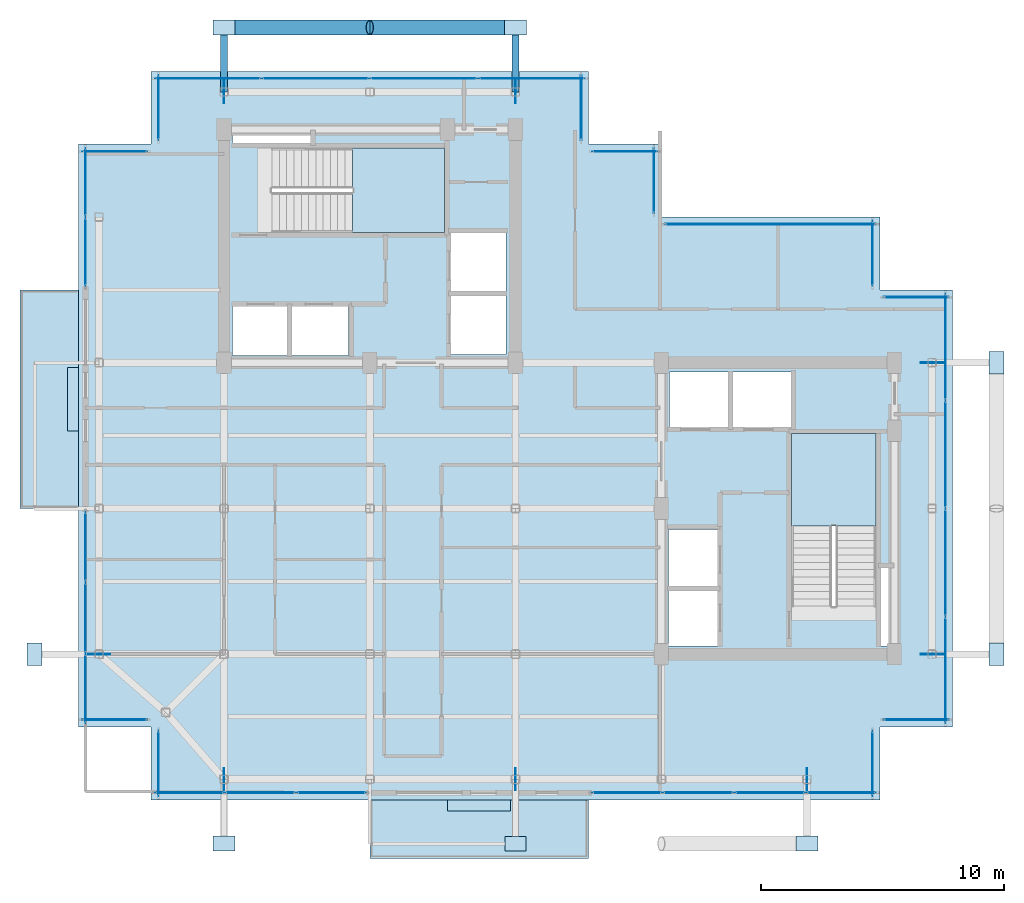
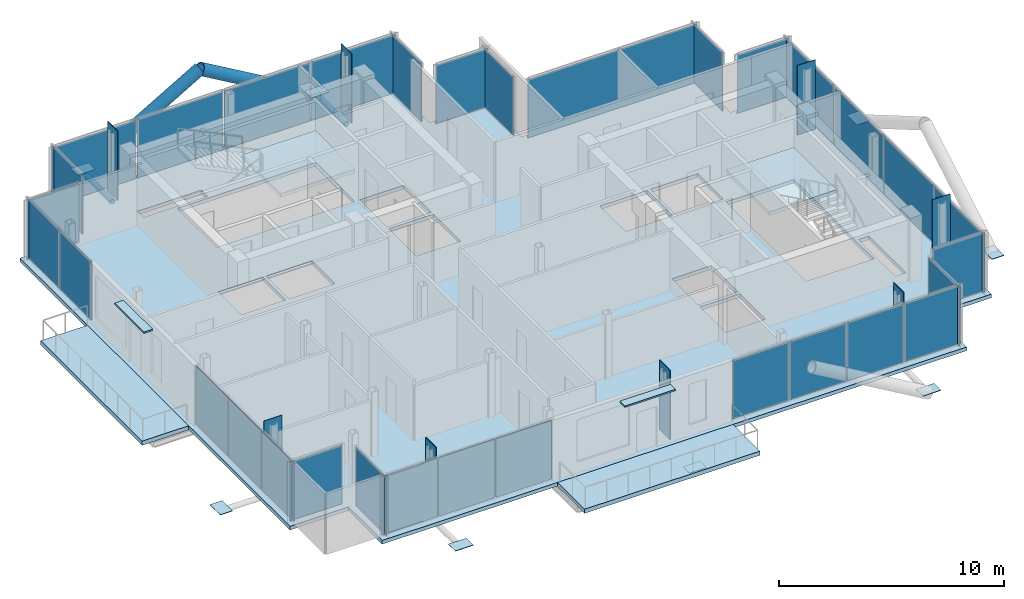
# One storey, part 13 of 18: 50 plates, 5 slabs, 4 members, 20 elements without a shape of their own.
"""IFC4 building model written with IfcOpenShell, lengths in metres."""

import ifcopenshell
import ifcopenshell.guid

model = None  # the IFC model being written
_history = None  # IfcOwnerHistory: only IFC2X3 demands one
_inside = {}  # id of a spatial element -> (the spatial element, [elements in it])
_under = {}  # id of a project, library or spatial element -> (it, [spatial elements below it])
_declared = {}  # id of a project -> (the project, [libraries it declares])
_typed = {}  # id of a type object -> (the type object, [elements of that type])
_made_of = {}  # id of a material, layer set ... -> (it, [elements and type objects made of it])


def new_model(schema):
    """Start an empty IFC model of exactly this schema.

    Asked for "IFC4X3", IfcOpenShell would pick the latest addendum, in which some entities
    have other attributes; the version numbers below select the first issue.
    IFC2X3 requires an IfcOwnerHistory on every rooted entity: one is made here for all.
    """
    global model, _history
    if schema == "IFC4X3":
        model = ifcopenshell.file(schema_version=(4, 3, 0, 0))
    else:
        model = ifcopenshell.file(schema=schema)
    _inside.clear()
    _under.clear()
    _declared.clear()
    _typed.clear()
    _made_of.clear()
    _history = None
    if model.schema == "IFC2X3":
        org = make("IfcOrganization", Name="unknown")
        user = make(
            "IfcPersonAndOrganization",
            ThePerson=make("IfcPerson", FamilyName="unknown"),
            TheOrganization=org,
        )
        app = make(
            "IfcApplication",
            ApplicationDeveloper=org,
            Version="unknown",
            ApplicationFullName="unknown",
            ApplicationIdentifier="unknown",
        )
        _history = make(
            "IfcOwnerHistory",
            OwningUser=user,
            OwningApplication=app,
            ChangeAction="ADDED",
            CreationDate=0,
        )
    return model


def make(cls, **values):
    """One entity of the class cls with the attributes given. An attribute that is None is left unset."""
    return model.create_entity(
        cls, **{name: value for name, value in values.items() if value is not None}
    )


def rooted(cls, **values):
    """An entity with a GlobalId (a new one), such as an element, a storey or a relation."""
    return make(cls, GlobalId=ifcopenshell.guid.new(), OwnerHistory=_history, **values)


def si_unit(unit_type, name, prefix=None):
    """IfcSIUnit, for example si_unit("LENGTHUNIT", "METRE", prefix="MILLI")."""
    return make("IfcSIUnit", UnitType=unit_type, Prefix=prefix, Name=name)


def assignment(units):
    """IfcUnitAssignment: the units of a project."""
    return None if units is None else make("IfcUnitAssignment", Units=units)


def point(xyz):
    """IfcCartesianPoint."""
    return None if xyz is None else make("IfcCartesianPoint", Coordinates=xyz)


def direction(xyz):
    """IfcDirection."""
    return None if xyz is None else make("IfcDirection", DirectionRatios=xyz)


def frame(location, z_axis=None, x_axis=None):
    """IfcAxis2Placement3D, a coordinate frame: its origin and axes. An axis left out is left unset."""
    return make(
        "IfcAxis2Placement3D",
        Location=point(location),
        Axis=direction(z_axis),
        RefDirection=direction(x_axis),
    )


def frame_2d(location, x_axis=None):
    """IfcAxis2Placement2D, a coordinate frame in the plane: its origin and x axis."""
    return make(
        "IfcAxis2Placement2D", Location=point(location), RefDirection=direction(x_axis)
    )


def origin():
    """The frame at (0, 0, 0) with its axes left unset."""
    return frame((0.0, 0.0, 0.0))


def origin_2d():
    """The frame at (0, 0) in the plane with its x axis left unset."""
    return frame_2d((0.0, 0.0))


def place(relative_to, where):
    """IfcLocalPlacement: puts the frame where relative to a parent placement (None: the world)."""
    return make(
        "IfcLocalPlacement", PlacementRelTo=relative_to, RelativePlacement=where
    )


def context(
    kind, dimensions, precision=None, world=None, true_north=None, identifier=None
):
    """IfcGeometricRepresentationContext, for example the 3D "Model" context."""
    return make(
        "IfcGeometricRepresentationContext",
        ContextIdentifier=identifier,
        ContextType=kind,
        CoordinateSpaceDimension=dimensions,
        Precision=precision,
        WorldCoordinateSystem=world,
        TrueNorth=true_north,
    )


def subcontext(parent, identifier, kind, view, scale=None):
    """IfcGeometricRepresentationSubContext, for example "Body" below "Model"."""
    return make(
        "IfcGeometricRepresentationSubContext",
        ContextIdentifier=identifier,
        ContextType=kind,
        ParentContext=parent,
        TargetScale=scale,
        TargetView=view,
    )


def project(units=None, contexts=None):
    """IfcProject with its units and contexts."""
    return rooted(
        "IfcProject",
        Name="project",
        RepresentationContexts=contexts,
        UnitsInContext=assignment(units),
    )


def spatial(cls, under=None, at=None, **own):
    """A site, building, storey or space (cls), placed at a placement, below another one or the project."""
    s = rooted(cls, ObjectPlacement=at, **own)
    if under is not None:
        _under.setdefault(under.id(), (under, []))[1].append(s)
    return s


def polyline(points):
    """IfcPolyline through the points."""
    return make("IfcPolyline", Points=[point(p) for p in points])


def profile(cls, at=None, kind="AREA", **sizes):
    """A parametric profile (cls). Its sizes go by their IFC names, for example OverallWidth=200.0."""
    return make(cls, ProfileType=kind, Position=at, **sizes)


def rectangle(**sizes):
    """IfcRectangleProfileDef."""
    return profile("IfcRectangleProfileDef", **sizes)


def hollow_circle(**sizes):
    """IfcCircleHollowProfileDef."""
    return profile("IfcCircleHollowProfileDef", **sizes)


def outline(outer, holes=None, kind="AREA"):
    """IfcArbitraryClosedProfileDef: a profile drawn as a closed curve; with holes, ...WithVoids."""
    if holes is None:
        return make("IfcArbitraryClosedProfileDef", ProfileType=kind, OuterCurve=outer)
    return make(
        "IfcArbitraryProfileDefWithVoids",
        ProfileType=kind,
        OuterCurve=outer,
        InnerCurves=holes,
    )


def extrude(swept, where, along, depth):
    """IfcExtrudedAreaSolid: the profile swept, set in the frame where, extruded along a direction by depth."""
    return make(
        "IfcExtrudedAreaSolid",
        SweptArea=swept,
        Position=where,
        ExtrudedDirection=direction(along),
        Depth=depth,
    )


def shape(context_of_items, identifier, shape_type, items):
    """IfcShapeRepresentation: the items that make up one representation, for example the "Body"."""
    return make(
        "IfcShapeRepresentation",
        ContextOfItems=context_of_items,
        RepresentationIdentifier=identifier,
        RepresentationType=shape_type,
        Items=items,
    )


def material(Name=None, Category=None):
    """IfcMaterial."""
    return make("IfcMaterial", Name=Name, Category=Category)


def layer(
    of_material, thickness, ventilated=None, Name=None, Category=None, Priority=None
):
    """IfcMaterialLayer: one layer of a wall or slab, of a material (None: an air gap)."""
    return make(
        "IfcMaterialLayer",
        Material=of_material,
        LayerThickness=thickness,
        IsVentilated=ventilated,
        Name=Name,
        Category=Category,
        Priority=Priority,
    )


def layer_set(layers, Name=None):
    """IfcMaterialLayerSet."""
    return make("IfcMaterialLayerSet", MaterialLayers=layers, LayerSetName=Name)


def material_profile(
    of_material, cross_section, Name=None, Category=None, Priority=None
):
    """IfcMaterialProfile: a cross section and its material."""
    return make(
        "IfcMaterialProfile",
        Name=Name,
        Material=of_material,
        Profile=cross_section,
        Priority=Priority,
        Category=Category,
    )


def profile_set(profiles, Name=None, composite=None):
    """IfcMaterialProfileSet."""
    return make(
        "IfcMaterialProfileSet",
        Name=Name,
        MaterialProfiles=profiles,
        CompositeProfile=composite,
    )


def made_of(thing, what):
    """Note that an element or type object is made of a material, layer set ...; save() writes the relation."""
    if what is not None:
        _made_of.setdefault(what.id(), (what, []))[1].append(thing)
    return thing


def type_object(cls, material=None, **own):
    """A type object (cls), such as IfcWallType, which elements share."""
    return made_of(rooted(cls, **own), material)


def element(
    cls,
    number,
    at=None,
    inside=None,
    cuts=None,
    type_object=None,
    material=None,
    context=None,
    identifier="Body",
    shape_type=None,
    held_by="IfcProductDefinitionShape",
    body=None,
    shapes=None,
    **own,
):
    """One element of the class cls, such as IfcWall. Its Tag is "e" and its number.

    at: its placement. inside: the storey or other place that contains it. cuts: it is an
    opening in that element (IfcRelVoidsElement). A single representation is given by context,
    identifier, shape_type and body (its items); several are given by shapes. held_by: the class
    of the entity that holds the representations. save() writes the other relations.
    """
    e = rooted(cls, Tag="e%d" % number, ObjectPlacement=at, **own)
    if body is not None:
        shapes = [shape(context, identifier, shape_type, body)]
    if shapes is not None:
        e.Representation = make(held_by, Representations=shapes)
    if inside is not None:
        _inside.setdefault(inside.id(), (inside, []))[1].append(e)
    if cuts is not None:
        rooted(
            "IfcRelVoidsElement", RelatingBuildingElement=cuts, RelatedOpeningElement=e
        )
    if type_object is not None:
        _typed.setdefault(type_object.id(), (type_object, []))[1].append(e)
    return made_of(e, material)


def aggregate(whole, parts):
    """IfcRelAggregates: a whole, such as a stair, and the parts it consists of."""
    return rooted("IfcRelAggregates", RelatingObject=whole, RelatedObjects=parts)


def save(model, path):
    """Write the relations noted so far, then the file.

    IfcRelAggregates (storeys below a building ...), IfcRelContainedInSpatialStructure (elements
    in a storey), IfcRelDefinesByType, IfcRelAssociatesMaterial and IfcRelDeclares: one each for
    every whole, place, type object, material and project.
    """
    for whole, parts in _under.values():
        aggregate(whole, parts)
    for where, things in _inside.values():
        rooted(
            "IfcRelContainedInSpatialStructure",
            RelatedElements=things,
            RelatingStructure=where,
        )
    for kind, things in _typed.values():
        rooted("IfcRelDefinesByType", RelatedObjects=things, RelatingType=kind)
    for what, things in _made_of.values():
        rooted("IfcRelAssociatesMaterial", RelatedObjects=things, RelatingMaterial=what)
    for by, libraries in _declared.values():
        rooted("IfcRelDeclares", RelatingContext=by, RelatedDefinitions=libraries)
    model.write(path)


model = new_model("IFC4")

# Units and contexts
model_context = context("Model", 3, precision=1e-05, world=origin(), true_north=direction((0.0, 1.0)))
body_context = subcontext(model_context, "Body", "Model", "MODEL_VIEW")
ifc_project = project(units=[si_unit("LENGTHUNIT", "METRE"), si_unit("AREAUNIT", "SQUARE_METRE"), si_unit("VOLUMEUNIT", "CUBIC_METRE"), si_unit("PLANEANGLEUNIT", "RADIAN"), si_unit("MASSUNIT", "GRAM", prefix="KILO"), si_unit("THERMODYNAMICTEMPERATUREUNIT", "KELVIN"), si_unit("POWERUNIT", "WATT")], contexts=[model_context])

# Site, building, storey
site_placement = place(None, origin())
site = spatial("IfcSite", under=ifc_project, at=site_placement, CompositionType="ELEMENT")
building_placement = place(site_placement, origin())
building = spatial("IfcBuilding", under=site, at=building_placement, Name="Svarakhadi Broadcast Tower", CompositionType="ELEMENT")
storey_placement = place(building_placement, frame((0.0, 0.0, 264.199951171875)))
storey = spatial("IfcBuildingStorey", under=building, at=storey_placement, Name="L66", CompositionType="ELEMENT", Elevation=264.199951171875)

# Members
ifc_material_1 = material(Name="Steel S460ML (IS 2062 E450BR)", Category="steel")
ifc_material_profile_1 = material_profile(ifc_material_1, hollow_circle(Radius=0.304931640625, WallThickness=0.030029296875, at=origin_2d()), Name="CHS 610x30")
ifc_profile_set_1 = profile_set([ifc_material_profile_1], Name="Steel S460ML (IS 2062 E450BR)")
member_type_1 = type_object("IfcMemberType", Name="Exo_Brace_CHS610", PredefinedType="BRACE", material=ifc_profile_set_1)
for number, where, z_axis, x_axis, name in (
    (1, (6.0, 31.800048828125, -0.33642578125), (0.863778900898, 0.0, 0.503871025524), (0.0, 1.0, 0.0), "L66 Exposed Bronze Exoskeleton Diagonal N04"),
    (2, (18.0, 31.800048828125, -0.33642578125), (-0.863778900898, 0.0, 0.503871025524), (0.0, -1.0, 0.0), "L66 Exposed Bronze Exoskeleton Diagonal N05"),
):
    element("IfcMember", number, at=place(storey_placement, frame(where, z_axis=z_axis, x_axis=x_axis)), inside=storey, type_object=member_type_1, Name=name, PredefinedType="BRACE", context=body_context, shape_type="SweptSolid", body=[
        extrude(hollow_circle(Radius=0.304931640625, WallThickness=0.030029296875, at=origin_2d()), origin(), (0.0, 0.0, 1.0), 6.9462890625),
    ])
ifc_material_profile_2 = material_profile(ifc_material_1, hollow_circle(Radius=0.136474609375, WallThickness=0.012451171875, at=origin_2d()), Name="CHS 273x12.5")
ifc_profile_set_2 = profile_set([ifc_material_profile_2], Name="Steel S460ML (IS 2062 E450BR)")
member_type_2 = type_object("IfcMemberType", Name="Exo_Radial_Strut_Z3", PredefinedType="STRUT", material=ifc_profile_set_2)
for number, where, z_axis, x_axis, name in (
    (3, (6.0, 31.800048828125, -0.33642578125), (0.0, -1.0, 0.0), (1.0, 0.0, 0.0), "L66 Exoskeleton Radial Tie Strut N07"),
    (4, (18.0, 31.800048828125, -0.33642578125), (0.0, -1.0, 0.0), (1.0, 0.0, 0.0), "L66 Exoskeleton Radial Tie Strut N08"),
):
    element("IfcMember", number, at=place(storey_placement, frame(where, z_axis=z_axis, x_axis=x_axis)), inside=storey, type_object=member_type_2, Name=name, PredefinedType="STRUT", context=body_context, shape_type="SweptSolid", body=[
        extrude(hollow_circle(Radius=0.136474609375, WallThickness=0.012451171875, at=origin_2d()), origin(), (0.0, 0.0, 1.0), 2.650146484375),
    ])

# Curtain wall, plate
ifc_material_2 = material(Name="Anodised Bronze Aluminium AA 6063-T6", Category="aluminium")
ifc_layer_1 = layer(ifc_material_2, 0.179931640625)
ifc_layer_set_1 = layer_set([ifc_layer_1], Name="Anodised Bronze Aluminium AA 6063-T6")
curtain_wall_type = type_object("IfcCurtainWallType", Name="CW_Sys_05", PredefinedType="NOTDEFINED", material=ifc_layer_set_1)
curtain_wall_1_placement = place(storey_placement, origin())
curtain_wall_1 = element("IfcCurtainWall", 5, at=curtain_wall_1_placement, inside=storey, type_object=curtain_wall_type, Name="L66 Unitised Facade Curtain Wall 01", PredefinedType="NOTDEFINED")
ifc_material_3 = material(Name="Double Low-E Laminated Acoustic Glass IGU 36 mm", Category="glass")
ifc_layer_2 = layer(ifc_material_3, 0.033935546875)
ifc_layer_set_2 = layer_set([ifc_layer_2], Name="Double Low-E Laminated Acoustic Glass IGU 36 mm")
plate_type_1 = type_object("IfcPlateType", Name="CW_Sys_05_Pnl", PredefinedType="CURTAIN_PANEL", material=ifc_layer_set_2)
plate_1_placement = place(storey_placement, frame((1.5, 3.300048828125, 0.065185546875), z_axis=(0.0, 0.0, 1.0), x_axis=(-1.0, 0.0, 0.0)))
plate_1 = element("IfcPlate", 6, at=plate_1_placement, type_object=plate_type_1, Name="CW-05 panel 1.1", PredefinedType="CURTAIN_PANEL", context=body_context, shape_type="SweptSolid", body=[
    extrude(rectangle(XDim=2.679931640625, YDim=0.033935546875, at=origin_2d()), origin(), (0.0, 0.0, 1.0), 3.169921875),
])
aggregate(curtain_wall_1, [plate_1])

# Curtain wall, plates
curtain_wall_2_placement = place(storey_placement, origin())
curtain_wall_2 = element("IfcCurtainWall", 7, at=curtain_wall_2_placement, inside=storey, type_object=curtain_wall_type, Name="L66 West Curtain Wall 02", PredefinedType="NOTDEFINED")
plate_2_placement = place(storey_placement, frame((0.300048828125, 4.577392578125, 0.065185546875), z_axis=(0.0, 0.0, 1.0), x_axis=(0.0, 1.0, 0.0)))
plate_2 = element("IfcPlate", 8, at=plate_2_placement, type_object=plate_type_1, Name="CW-05 panel 1.1", PredefinedType="CURTAIN_PANEL", context=body_context, shape_type="SweptSolid", body=[
    extrude(rectangle(XDim=2.8349609375, YDim=0.033935546875, at=origin_2d()), origin(), (0.0, 0.0, 1.0), 3.169921875),
])
plate_3_placement = place(storey_placement, frame((0.300048828125, 7.5, 0.065185546875), z_axis=(0.0, 0.0, 1.0), x_axis=(0.0, 1.0, 0.0)))
plate_3 = element("IfcPlate", 9, at=plate_3_placement, type_object=plate_type_1, Name="CW-05 panel 2.1", PredefinedType="CURTAIN_PANEL", context=body_context, shape_type="SweptSolid", body=[
    extrude(rectangle(XDim=2.8701171875, YDim=0.033935546875, at=origin_2d()), origin(), (0.0, 0.0, 1.0), 3.169921875),
])
plate_4_placement = place(storey_placement, frame((0.300048828125, 10.422607421875, 0.065185546875), z_axis=(0.0, 0.0, 1.0), x_axis=(0.0, 1.0, 0.0)))
plate_4 = element("IfcPlate", 10, at=plate_4_placement, type_object=plate_type_1, Name="CW-05 panel 3.1", PredefinedType="CURTAIN_PANEL", context=body_context, shape_type="SweptSolid", body=[
    extrude(rectangle(XDim=2.8349609375, YDim=0.033935546875, at=origin_2d()), origin(), (0.0, 0.0, 1.0), 3.169921875),
])
aggregate(curtain_wall_2, [plate_2, plate_3, plate_4])

curtain_wall_3_placement = place(storey_placement, origin())
curtain_wall_3 = element("IfcCurtainWall", 11, at=curtain_wall_3_placement, inside=storey, type_object=curtain_wall_type, Name="L66 West Curtain Wall 03", PredefinedType="NOTDEFINED")
plate_5_placement = place(storey_placement, frame((0.300048828125, 22.5625, 0.065185546875), z_axis=(0.0, 0.0, 1.0), x_axis=(0.0, 1.0, 0.0)))
plate_5 = element("IfcPlate", 12, at=plate_5_placement, type_object=plate_type_1, Name="CW-05 panel 1.1", PredefinedType="CURTAIN_PANEL", context=body_context, shape_type="SweptSolid", body=[
    extrude(rectangle(XDim=2.804931640625, YDim=0.033935546875, at=origin_2d()), origin(), (0.0, 0.0, 1.0), 3.169921875),
])
plate_6_placement = place(storey_placement, frame((0.300048828125, 25.4375, 0.065185546875), z_axis=(0.0, 0.0, 1.0), x_axis=(0.0, 1.0, 0.0)))
plate_6 = element("IfcPlate", 13, at=plate_6_placement, type_object=plate_type_1, Name="CW-05 panel 2.1", PredefinedType="CURTAIN_PANEL", context=body_context, shape_type="SweptSolid", body=[
    extrude(rectangle(XDim=2.804931640625, YDim=0.033935546875, at=origin_2d()), origin(), (0.0, 0.0, 1.0), 3.169921875),
])
aggregate(curtain_wall_3, [plate_5, plate_6])

# Curtain wall, plate
curtain_wall_4_placement = place(storey_placement, origin())
curtain_wall_4 = element("IfcCurtainWall", 14, at=curtain_wall_4_placement, inside=storey, type_object=curtain_wall_type, Name="L66 Unitised Facade Curtain Wall 04", PredefinedType="NOTDEFINED")
plate_7_placement = place(storey_placement, frame((1.5, 26.699951171875, 0.065185546875), z_axis=(0.0, 0.0, 1.0), x_axis=(1.0, 0.0, 0.0)))
plate_7 = element("IfcPlate", 15, at=plate_7_placement, type_object=plate_type_1, Name="CW-05 panel 1.1", PredefinedType="CURTAIN_PANEL", context=body_context, shape_type="SweptSolid", body=[
    extrude(rectangle(XDim=2.679931640625, YDim=0.033935546875, at=origin_2d()), origin(), (0.0, 0.0, 1.0), 3.169921875),
])
aggregate(curtain_wall_4, [plate_7])

curtain_wall_5_placement = place(storey_placement, origin())
curtain_wall_5 = element("IfcCurtainWall", 16, at=curtain_wall_5_placement, inside=storey, type_object=curtain_wall_type, Name="L66 Unitised Facade Curtain Wall 05", PredefinedType="NOTDEFINED")
plate_8_placement = place(storey_placement, frame((3.300048828125, 28.5, 0.065185546875), z_axis=(0.0, 0.0, 1.0), x_axis=(0.0, 1.0, 0.0)))
plate_8 = element("IfcPlate", 17, at=plate_8_placement, type_object=plate_type_1, Name="CW-05 panel 1.1", PredefinedType="CURTAIN_PANEL", context=body_context, shape_type="SweptSolid", body=[
    extrude(rectangle(XDim=2.679931640625, YDim=0.033935546875, at=origin_2d()), origin(), (0.0, 0.0, 1.0), 3.169921875),
])
aggregate(curtain_wall_5, [plate_8])

# Curtain wall, plates
curtain_wall_6_placement = place(storey_placement, origin())
curtain_wall_6 = element("IfcCurtainWall", 18, at=curtain_wall_6_placement, inside=storey, type_object=curtain_wall_type, Name="L66 Unitised Facade Curtain Wall 06", PredefinedType="NOTDEFINED")
plate_9_placement = place(storey_placement, frame((5.3349609375, 29.699951171875, 0.065185546875), z_axis=(0.0, 0.0, 1.0), x_axis=(1.0, 0.0, 0.0)))
plate_9 = element("IfcPlate", 19, at=plate_9_placement, type_object=plate_type_1, Name="CW-05 panel 1.1", PredefinedType="CURTAIN_PANEL", context=body_context, shape_type="SweptSolid", body=[
    extrude(rectangle(XDim=4.35009765625, YDim=0.033935546875, at=origin_2d()), origin(), (0.0, 0.0, 1.0), 3.169921875),
])
plate_10_placement = place(storey_placement, frame((9.7724609375, 29.699951171875, 0.065185546875), z_axis=(0.0, 0.0, 1.0), x_axis=(1.0, 0.0, 0.0)))
plate_10 = element("IfcPlate", 20, at=plate_10_placement, type_object=plate_type_1, Name="CW-05 panel 2.1", PredefinedType="CURTAIN_PANEL", context=body_context, shape_type="SweptSolid", body=[
    extrude(rectangle(XDim=4.385009765625, YDim=0.033935546875, at=origin_2d()), origin(), (0.0, 0.0, 1.0), 3.169921875),
])
plate_11_placement = place(storey_placement, frame((14.2275390625, 29.699951171875, 0.065185546875), z_axis=(0.0, 0.0, 1.0), x_axis=(1.0, 0.0, 0.0)))
plate_11 = element("IfcPlate", 21, at=plate_11_placement, type_object=plate_type_1, Name="CW-05 panel 3.1", PredefinedType="CURTAIN_PANEL", context=body_context, shape_type="SweptSolid", body=[
    extrude(rectangle(XDim=4.385009765625, YDim=0.033935546875, at=origin_2d()), origin(), (0.0, 0.0, 1.0), 3.169921875),
])
plate_12_placement = place(storey_placement, frame((18.6650390625, 29.699951171875, 0.065185546875), z_axis=(0.0, 0.0, 1.0), x_axis=(1.0, 0.0, 0.0)))
plate_12 = element("IfcPlate", 22, at=plate_12_placement, type_object=plate_type_1, Name="CW-05 panel 4.1", PredefinedType="CURTAIN_PANEL", context=body_context, shape_type="SweptSolid", body=[
    extrude(rectangle(XDim=4.35009765625, YDim=0.033935546875, at=origin_2d()), origin(), (0.0, 0.0, 1.0), 3.169921875),
])
aggregate(curtain_wall_6, [plate_9, plate_10, plate_11, plate_12])

# Curtain wall, plate
curtain_wall_7_placement = place(storey_placement, origin())
curtain_wall_7 = element("IfcCurtainWall", 23, at=curtain_wall_7_placement, inside=storey, type_object=curtain_wall_type, Name="L66 Unitised Facade Curtain Wall 07", PredefinedType="NOTDEFINED")
plate_13_placement = place(storey_placement, frame((20.699951171875, 28.5, 0.065185546875), z_axis=(0.0, 0.0, 1.0), x_axis=(0.0, -1.0, 0.0)))
plate_13 = element("IfcPlate", 24, at=plate_13_placement, type_object=plate_type_1, Name="CW-05 panel 1.1", PredefinedType="CURTAIN_PANEL", context=body_context, shape_type="SweptSolid", body=[
    extrude(rectangle(XDim=2.679931640625, YDim=0.033935546875, at=origin_2d()), origin(), (0.0, 0.0, 1.0), 3.169921875),
])
aggregate(curtain_wall_7, [plate_13])

curtain_wall_8_placement = place(storey_placement, origin())
curtain_wall_8 = element("IfcCurtainWall", 25, at=curtain_wall_8_placement, inside=storey, type_object=curtain_wall_type, Name="L66 Unitised Facade Curtain Wall 08", PredefinedType="NOTDEFINED")
plate_14_placement = place(storey_placement, frame((22.5, 26.699951171875, 0.065185546875), z_axis=(0.0, 0.0, 1.0), x_axis=(1.0, 0.0, 0.0)))
plate_14 = element("IfcPlate", 26, at=plate_14_placement, type_object=plate_type_1, Name="CW-05 panel 1.1", PredefinedType="CURTAIN_PANEL", context=body_context, shape_type="SweptSolid", body=[
    extrude(rectangle(XDim=2.679931640625, YDim=0.033935546875, at=origin_2d()), origin(), (0.0, 0.0, 1.0), 3.169921875),
])
aggregate(curtain_wall_8, [plate_14])

curtain_wall_9_placement = place(storey_placement, origin())
curtain_wall_9 = element("IfcCurtainWall", 27, at=curtain_wall_9_placement, inside=storey, type_object=curtain_wall_type, Name="L66 Unitised Facade Curtain Wall 09", PredefinedType="NOTDEFINED")
plate_15_placement = place(storey_placement, frame((23.699951171875, 25.5, 0.065185546875), z_axis=(0.0, 0.0, 1.0), x_axis=(0.0, -1.0, 0.0)))
plate_15 = element("IfcPlate", 28, at=plate_15_placement, type_object=plate_type_1, Name="CW-05 panel 1.1", PredefinedType="CURTAIN_PANEL", context=body_context, shape_type="SweptSolid", body=[
    extrude(rectangle(XDim=2.679931640625, YDim=0.033935546875, at=origin_2d()), origin(), (0.0, 0.0, 1.0), 3.169921875),
])
aggregate(curtain_wall_9, [plate_15])

curtain_wall_10_placement = place(storey_placement, origin())
curtain_wall_10 = element("IfcCurtainWall", 29, at=curtain_wall_10_placement, inside=storey, type_object=curtain_wall_type, Name="L66 Unitised Facade Curtain Wall 10", PredefinedType="NOTDEFINED")
plate_16_placement = place(storey_placement, frame((28.5, 23.699951171875, 0.065185546875), z_axis=(0.0, 0.0, 1.0), x_axis=(1.0, 0.0, 0.0)))
plate_16 = element("IfcPlate", 30, at=plate_16_placement, type_object=plate_type_1, Name="CW-05 panel 1.1", PredefinedType="CURTAIN_PANEL", context=body_context, shape_type="SweptSolid", body=[
    extrude(rectangle(XDim=8.679931640625, YDim=0.033935546875, at=origin_2d()), origin(), (0.0, 0.0, 1.0), 3.169921875),
])
aggregate(curtain_wall_10, [plate_16])

curtain_wall_11_placement = place(storey_placement, origin())
curtain_wall_11 = element("IfcCurtainWall", 31, at=curtain_wall_11_placement, inside=storey, type_object=curtain_wall_type, Name="L66 Unitised Facade Curtain Wall 11", PredefinedType="NOTDEFINED")
plate_17_placement = place(storey_placement, frame((32.699951171875, 22.5, 0.065185546875), z_axis=(0.0, 0.0, 1.0), x_axis=(0.0, -1.0, 0.0)))
plate_17 = element("IfcPlate", 32, at=plate_17_placement, type_object=plate_type_1, Name="CW-05 panel 1.1", PredefinedType="CURTAIN_PANEL", context=body_context, shape_type="SweptSolid", body=[
    extrude(rectangle(XDim=2.679931640625, YDim=0.033935546875, at=origin_2d()), origin(), (0.0, 0.0, 1.0), 3.169921875),
])
aggregate(curtain_wall_11, [plate_17])

curtain_wall_12_placement = place(storey_placement, origin())
curtain_wall_12 = element("IfcCurtainWall", 33, at=curtain_wall_12_placement, inside=storey, type_object=curtain_wall_type, Name="L66 Unitised Facade Curtain Wall 12", PredefinedType="NOTDEFINED")
plate_18_placement = place(storey_placement, frame((34.5, 20.699951171875, 0.065185546875), z_axis=(0.0, 0.0, 1.0), x_axis=(1.0, 0.0, 0.0)))
plate_18 = element("IfcPlate", 34, at=plate_18_placement, type_object=plate_type_1, Name="CW-05 panel 1.1", PredefinedType="CURTAIN_PANEL", context=body_context, shape_type="SweptSolid", body=[
    extrude(rectangle(XDim=2.679931640625, YDim=0.033935546875, at=origin_2d()), origin(), (0.0, 0.0, 1.0), 3.169921875),
])
aggregate(curtain_wall_12, [plate_18])

# Curtain wall, plates
curtain_wall_13_placement = place(storey_placement, origin())
curtain_wall_13 = element("IfcCurtainWall", 35, at=curtain_wall_13_placement, inside=storey, type_object=curtain_wall_type, Name="L66 Unitised Facade Curtain Wall 13", PredefinedType="NOTDEFINED")
plate_19_placement = place(storey_placement, frame((35.699951171875, 18.6650390625, 0.065185546875), z_axis=(0.0, 0.0, 1.0), x_axis=(0.0, -1.0, 0.0)))
plate_19 = element("IfcPlate", 36, at=plate_19_placement, type_object=plate_type_1, Name="CW-05 panel 1.1", PredefinedType="CURTAIN_PANEL", context=body_context, shape_type="SweptSolid", body=[
    extrude(rectangle(XDim=4.35009765625, YDim=0.033935546875, at=origin_2d()), origin(), (0.0, 0.0, 1.0), 3.169921875),
])
plate_20_placement = place(storey_placement, frame((35.699951171875, 14.2275390625, 0.065185546875), z_axis=(0.0, 0.0, 1.0), x_axis=(0.0, -1.0, 0.0)))
plate_20 = element("IfcPlate", 37, at=plate_20_placement, type_object=plate_type_1, Name="CW-05 panel 2.1", PredefinedType="CURTAIN_PANEL", context=body_context, shape_type="SweptSolid", body=[
    extrude(rectangle(XDim=4.385009765625, YDim=0.033935546875, at=origin_2d()), origin(), (0.0, 0.0, 1.0), 3.169921875),
])
plate_21_placement = place(storey_placement, frame((35.699951171875, 9.7724609375, 0.065185546875), z_axis=(0.0, 0.0, 1.0), x_axis=(0.0, -1.0, 0.0)))
plate_21 = element("IfcPlate", 38, at=plate_21_placement, type_object=plate_type_1, Name="CW-05 panel 3.1", PredefinedType="CURTAIN_PANEL", context=body_context, shape_type="SweptSolid", body=[
    extrude(rectangle(XDim=4.385009765625, YDim=0.033935546875, at=origin_2d()), origin(), (0.0, 0.0, 1.0), 3.169921875),
])
plate_22_placement = place(storey_placement, frame((35.699951171875, 5.3349609375, 0.065185546875), z_axis=(0.0, 0.0, 1.0), x_axis=(0.0, -1.0, 0.0)))
plate_22 = element("IfcPlate", 39, at=plate_22_placement, type_object=plate_type_1, Name="CW-05 panel 4.1", PredefinedType="CURTAIN_PANEL", context=body_context, shape_type="SweptSolid", body=[
    extrude(rectangle(XDim=4.35009765625, YDim=0.033935546875, at=origin_2d()), origin(), (0.0, 0.0, 1.0), 3.169921875),
])
aggregate(curtain_wall_13, [plate_19, plate_20, plate_21, plate_22])

# Curtain wall, plate
curtain_wall_14_placement = place(storey_placement, origin())
curtain_wall_14 = element("IfcCurtainWall", 40, at=curtain_wall_14_placement, inside=storey, type_object=curtain_wall_type, Name="L66 Unitised Facade Curtain Wall 14", PredefinedType="NOTDEFINED")
plate_23_placement = place(storey_placement, frame((34.5, 3.300048828125, 0.065185546875), z_axis=(0.0, 0.0, 1.0), x_axis=(-1.0, 0.0, 0.0)))
plate_23 = element("IfcPlate", 41, at=plate_23_placement, type_object=plate_type_1, Name="CW-05 panel 1.1", PredefinedType="CURTAIN_PANEL", context=body_context, shape_type="SweptSolid", body=[
    extrude(rectangle(XDim=2.679931640625, YDim=0.033935546875, at=origin_2d()), origin(), (0.0, 0.0, 1.0), 3.169921875),
])
aggregate(curtain_wall_14, [plate_23])

curtain_wall_15_placement = place(storey_placement, origin())
curtain_wall_15 = element("IfcCurtainWall", 42, at=curtain_wall_15_placement, inside=storey, type_object=curtain_wall_type, Name="L66 Unitised Facade Curtain Wall 15", PredefinedType="NOTDEFINED")
plate_24_placement = place(storey_placement, frame((32.699951171875, 1.5, 0.065185546875), z_axis=(0.0, 0.0, 1.0), x_axis=(0.0, -1.0, 0.0)))
plate_24 = element("IfcPlate", 43, at=plate_24_placement, type_object=plate_type_1, Name="CW-05 panel 1.1", PredefinedType="CURTAIN_PANEL", context=body_context, shape_type="SweptSolid", body=[
    extrude(rectangle(XDim=2.679931640625, YDim=0.033935546875, at=origin_2d()), origin(), (0.0, 0.0, 1.0), 3.169921875),
])
aggregate(curtain_wall_15, [plate_24])

# Curtain wall, plates
curtain_wall_16_placement = place(storey_placement, origin())
curtain_wall_16 = element("IfcCurtainWall", 44, at=curtain_wall_16_placement, inside=storey, type_object=curtain_wall_type, Name="L66 South Curtain Wall 16", PredefinedType="NOTDEFINED")
plate_25_placement = place(storey_placement, frame((31.4150390625, 0.300048828125, 0.065185546875), z_axis=(0.0, 0.0, 1.0), x_axis=(-1.0, 0.0, 0.0)))
plate_25 = element("IfcPlate", 45, at=plate_25_placement, type_object=plate_type_1, Name="CW-05 panel 1.1", PredefinedType="CURTAIN_PANEL", context=body_context, shape_type="SweptSolid", body=[
    extrude(rectangle(XDim=2.85009765625, YDim=0.033935546875, at=origin_2d()), origin(), (0.0, 0.0, 1.0), 3.169921875),
])
plate_26_placement = place(storey_placement, frame((28.4775390625, 0.300048828125, 0.065185546875), z_axis=(0.0, 0.0, 1.0), x_axis=(-1.0, 0.0, 0.0)))
plate_26 = element("IfcPlate", 46, at=plate_26_placement, type_object=plate_type_1, Name="CW-05 panel 2.1", PredefinedType="CURTAIN_PANEL", context=body_context, shape_type="SweptSolid", body=[
    extrude(rectangle(XDim=2.885009765625, YDim=0.033935546875, at=origin_2d()), origin(), (0.0, 0.0, 1.0), 3.169921875),
])
plate_27_placement = place(storey_placement, frame((25.5224609375, 0.300048828125, 0.065185546875), z_axis=(0.0, 0.0, 1.0), x_axis=(-1.0, 0.0, 0.0)))
plate_27 = element("IfcPlate", 47, at=plate_27_placement, type_object=plate_type_1, Name="CW-05 panel 3.1", PredefinedType="CURTAIN_PANEL", context=body_context, shape_type="SweptSolid", body=[
    extrude(rectangle(XDim=2.885009765625, YDim=0.033935546875, at=origin_2d()), origin(), (0.0, 0.0, 1.0), 3.169921875),
])
plate_28_placement = place(storey_placement, frame((22.5849609375, 0.300048828125, 0.065185546875), z_axis=(0.0, 0.0, 1.0), x_axis=(-1.0, 0.0, 0.0)))
plate_28 = element("IfcPlate", 48, at=plate_28_placement, type_object=plate_type_1, Name="CW-05 panel 4.1", PredefinedType="CURTAIN_PANEL", context=body_context, shape_type="SweptSolid", body=[
    extrude(rectangle(XDim=2.85009765625, YDim=0.033935546875, at=origin_2d()), origin(), (0.0, 0.0, 1.0), 3.169921875),
])
aggregate(curtain_wall_16, [plate_25, plate_26, plate_27, plate_28])

curtain_wall_17_placement = place(storey_placement, origin())
curtain_wall_17 = element("IfcCurtainWall", 49, at=curtain_wall_17_placement, inside=storey, type_object=curtain_wall_type, Name="L66 South Curtain Wall 17", PredefinedType="NOTDEFINED")
plate_29_placement = place(storey_placement, frame((10.422607421875, 0.300048828125, 0.065185546875), z_axis=(0.0, 0.0, 1.0), x_axis=(-1.0, 0.0, 0.0)))
plate_29 = element("IfcPlate", 50, at=plate_29_placement, type_object=plate_type_1, Name="CW-05 panel 1.1", PredefinedType="CURTAIN_PANEL", context=body_context, shape_type="SweptSolid", body=[
    extrude(rectangle(XDim=2.8349609375, YDim=0.033935546875, at=origin_2d()), origin(), (0.0, 0.0, 1.0), 3.169921875),
])
plate_30_placement = place(storey_placement, frame((7.5, 0.300048828125, 0.065185546875), z_axis=(0.0, 0.0, 1.0), x_axis=(-1.0, 0.0, 0.0)))
plate_30 = element("IfcPlate", 51, at=plate_30_placement, type_object=plate_type_1, Name="CW-05 panel 2.1", PredefinedType="CURTAIN_PANEL", context=body_context, shape_type="SweptSolid", body=[
    extrude(rectangle(XDim=2.8701171875, YDim=0.033935546875, at=origin_2d()), origin(), (0.0, 0.0, 1.0), 3.169921875),
])
plate_31_placement = place(storey_placement, frame((4.577392578125, 0.300048828125, 0.065185546875), z_axis=(0.0, 0.0, 1.0), x_axis=(-1.0, 0.0, 0.0)))
plate_31 = element("IfcPlate", 52, at=plate_31_placement, type_object=plate_type_1, Name="CW-05 panel 3.1", PredefinedType="CURTAIN_PANEL", context=body_context, shape_type="SweptSolid", body=[
    extrude(rectangle(XDim=2.8349609375, YDim=0.033935546875, at=origin_2d()), origin(), (0.0, 0.0, 1.0), 3.169921875),
])
aggregate(curtain_wall_17, [plate_29, plate_30, plate_31])

# Curtain wall, plate
curtain_wall_18_placement = place(storey_placement, origin())
curtain_wall_18 = element("IfcCurtainWall", 53, at=curtain_wall_18_placement, inside=storey, type_object=curtain_wall_type, Name="L66 Unitised Facade Curtain Wall 18", PredefinedType="NOTDEFINED")
plate_32_placement = place(storey_placement, frame((3.300048828125, 1.5, 0.065185546875), z_axis=(0.0, 0.0, 1.0), x_axis=(0.0, 1.0, 0.0)))
plate_32 = element("IfcPlate", 54, at=plate_32_placement, type_object=plate_type_1, Name="CW-05 panel 1.1", PredefinedType="CURTAIN_PANEL", context=body_context, shape_type="SweptSolid", body=[
    extrude(rectangle(XDim=2.679931640625, YDim=0.033935546875, at=origin_2d()), origin(), (0.0, 0.0, 1.0), 3.169921875),
])
aggregate(curtain_wall_18, [plate_32])

# Plates
ifc_layer_3 = layer(ifc_material_1, 0.02490234375)
ifc_layer_set_3 = layer_set([ifc_layer_3], Name="Steel S460ML (IS 2062 E450BR)")
plate_type_2 = type_object("IfcPlateType", Name="Node_Gusset_N05", PredefinedType="SHEET", material=ifc_layer_set_3)
plate_33_placement = place(storey_placement, frame((18.0, -1.800048828125, -0.199951171875), z_axis=(0.0, 0.0, 1.0), x_axis=(1.0, 0.0, 0.0)))
element("IfcPlate", 55, at=plate_33_placement, inside=storey, type_object=plate_type_2, Name="L66 Exoskeleton Gusset Node Plate S02", PredefinedType="SHEET", context=body_context, shape_type="SweptSolid", body=[
    extrude(rectangle(XDim=0.8798828125, YDim=0.60009765625, at=origin_2d()), origin(), (0.0, 0.0, 1.0), 0.02490234375),
])
ifc_layer_4 = layer(ifc_material_1, 0.02587890625)
ifc_layer_set_4 = layer_set([ifc_layer_4], Name="Steel S460ML (IS 2062 E450BR)")
plate_type_3 = type_object("IfcPlateType", Name="Node_Gusset_N07", PredefinedType="SHEET", material=ifc_layer_set_4)
for number, where, z_axis, x_axis, name in (
    (56, (6.0, -1.800048828125, -0.199951171875), (0.0, 0.0, 1.0), (1.0, 0.0, 0.0), "L66 Exoskeleton Gusset Node Plate S01"),
    (57, (30.0, -1.800048828125, -0.199951171875), (0.0, 0.0, 1.0), (1.0, 0.0, 0.0), "L66 Exoskeleton Gusset Node Plate S03"),
    (58, (-1.800048828125, 6.0, -0.199951171875), (0.0, 0.0, 1.0), (0.0, 1.0, 0.0), "L66 Exoskeleton Gusset Node Plate W04"),
    (59, (37.800048828125, 6.0, -0.199951171875), (0.0, 0.0, 1.0), (0.0, 1.0, 0.0), "L66 Exoskeleton Gusset Node Plate E05"),
    (60, (37.800048828125, 18.0, -0.199951171875), (0.0, 0.0, 1.0), (0.0, 1.0, 0.0), "L66 Exoskeleton Gusset Node Plate E06"),
    (61, (6.0, 31.800048828125, -0.199951171875), (0.0, 0.0, 1.0), (1.0, 0.0, 0.0), "L66 Exoskeleton Gusset Node Plate N07"),
    (62, (18.0, 31.800048828125, -0.199951171875), (0.0, 0.0, 1.0), (1.0, 0.0, 0.0), "L66 Exoskeleton Gusset Node Plate N08"),
):
    element("IfcPlate", number, at=place(storey_placement, frame(where, z_axis=z_axis, x_axis=x_axis)), inside=storey, type_object=plate_type_3, Name=name, PredefinedType="SHEET", context=body_context, shape_type="SweptSolid", body=[
        extrude(rectangle(XDim=0.919921875, YDim=0.6201171875, at=origin_2d()), origin(), (0.0, 0.0, 1.0), 0.02587890625),
    ])
for number, where, z_axis, x_axis, name in (
    (63, (6.0, 0.85009765625, -0.53662109375), (0.0, 0.0, 1.0), (0.0, 1.0, 0.0), "L66 Brace End Connection Gusset Plate N-07-E0524"),
    (64, (18.0, 0.85009765625, -0.53662109375), (0.0, 0.0, 1.0), (0.0, 1.0, 0.0), "L66 Brace End Connection Gusset Plate N-07-E0525"),
    (65, (30.0, 0.85009765625, -0.53662109375), (0.0, 0.0, 1.0), (0.0, 1.0, 0.0), "L66 Brace End Connection Gusset Plate N-07-E0526"),
    (66, (0.85009765625, 6.0, -0.53662109375), (0.0, 0.0, 1.0), (1.0, 0.0, 0.0), "L66 Brace End Connection Gusset Plate N-07-E0527"),
    (67, (35.14990234375, 6.0, -0.53662109375), (0.0, 0.0, 1.0), (1.0, 0.0, 0.0), "L66 Brace End Connection Gusset Plate N-07-E0528"),
    (68, (35.14990234375, 18.0, -0.53662109375), (0.0, 0.0, 1.0), (1.0, 0.0, 0.0), "L66 Brace End Connection Gusset Plate N-07-E0529"),
    (69, (6.0, 29.14990234375, -0.53662109375), (0.0, 0.0, 1.0), (0.0, 1.0, 0.0), "L66 Brace End Connection Gusset Plate N-07-E0530"),
    (70, (18.0, 29.14990234375, -0.53662109375), (0.0, 0.0, 1.0), (0.0, 1.0, 0.0), "L66 Brace End Connection Gusset Plate N-07-E0531"),
):
    element("IfcPlate", number, at=place(storey_placement, frame(where, z_axis=z_axis, x_axis=x_axis)), inside=storey, type_object=plate_type_3, Name=name, PredefinedType="SHEET", context=body_context, shape_type="SweptSolid", body=[
        extrude(rectangle(XDim=0.919921875, YDim=0.02587890625, at=origin_2d()), origin(), (0.0, 0.0, 1.0), 4.300048828125),
    ])

# Slab
ifc_material_4 = material(Name="Concrete C40/50 (IS 456 M50)", Category="concrete")
ifc_layer_5 = layer(ifc_material_4, 0.199951171875)
ifc_layer_set_5 = layer_set([ifc_layer_5], Name="Concrete C40/50 (IS 456 M50)")
slab_type_1 = type_object("IfcSlabType", Name="Slab_Floor_200", PredefinedType="FLOOR", material=ifc_layer_set_5)
slab_1_placement = place(storey_placement, frame((0.0, 0.0, -0.199951171875)))
element("IfcSlab", 71, at=slab_1_placement, inside=storey, type_object=slab_type_1, Name="L66 Structural Floor Slab", PredefinedType="FLOOR", context=body_context, shape_type="SweptSolid", body=[
    extrude(outline(polyline([(3.0, 0.0), (33.0, 0.0), (33.0, 3.0), (36.0, 3.0), (36.0, 21.0), (33.0, 21.0), (33.0, 24.0), (24.0, 24.0), (24.0, 27.0), (21.0, 27.0), (21.0, 30.0), (3.0, 30.0), (3.0, 27.0), (0.0, 27.0), (0.0, 3.0), (3.0, 3.0), (3.0, 0.0)]), holes=[polyline([(7.97998046875, 23.360107421875), (15.080078125, 23.360107421875), (15.080078125, 26.840087890625), (7.97998046875, 26.840087890625), (7.97998046875, 23.360107421875)]), polyline([(32.840087890625, 7.97998046875), (32.840087890625, 15.080078125), (29.360107421875, 15.080078125), (29.360107421875, 7.97998046875), (32.840087890625, 7.97998046875)]), polyline([(6.340087890625, 18.2900390625), (8.610107421875, 18.2900390625), (8.610107421875, 20.330078125), (6.340087890625, 20.330078125), (6.340087890625, 18.2900390625)]), polyline([(8.7900390625, 18.2900390625), (11.1298828125, 18.2900390625), (11.1298828125, 20.330078125), (8.7900390625, 20.330078125), (8.7900390625, 18.2900390625)]), polyline([(24.2900390625, 6.340087890625), (26.330078125, 6.340087890625), (26.330078125, 8.610107421875), (24.2900390625, 8.610107421875), (24.2900390625, 6.340087890625)]), polyline([(24.2900390625, 8.7900390625), (26.330078125, 8.7900390625), (26.330078125, 11.1298828125), (24.2900390625, 11.1298828125), (24.2900390625, 8.7900390625)]), polyline([(6.340087890625, 26.989990234375), (9.610107421875, 26.989990234375), (9.610107421875, 27.530029296875), (6.340087890625, 27.530029296875), (6.340087890625, 26.989990234375)]), polyline([(32.989990234375, 6.340087890625), (33.530029296875, 6.340087890625), (33.530029296875, 9.610107421875), (32.989990234375, 9.610107421875), (32.989990234375, 6.340087890625)]), polyline([(15.340087890625, 18.340087890625), (17.610107421875, 18.340087890625), (17.610107421875, 20.760009765625), (15.340087890625, 20.760009765625), (15.340087890625, 18.340087890625)]), polyline([(15.340087890625, 20.93994140625), (17.610107421875, 20.93994140625), (17.610107421875, 23.360107421875), (15.340087890625, 23.360107421875), (15.340087890625, 20.93994140625)]), polyline([(24.340087890625, 15.340087890625), (26.760009765625, 15.340087890625), (26.760009765625, 17.610107421875), (24.340087890625, 17.610107421875), (24.340087890625, 15.340087890625)]), polyline([(26.93994140625, 15.340087890625), (29.360107421875, 15.340087890625), (29.360107421875, 17.610107421875), (26.93994140625, 17.610107421875), (26.93994140625, 15.340087890625)])]), origin(), (0.0, 0.0, 1.0), 0.199951171875),
])

# Stair, slab
stair_type = type_object("IfcStairType", Name="Stair_Exit_Core", PredefinedType="HALF_TURN_STAIR", material=ifc_material_4)
stair_1_placement = place(storey_placement, origin())
stair_1 = element("IfcStair", 72, at=stair_1_placement, inside=storey, type_object=stair_type, Name="L66 West Core Protected Exit Stair ST-01", PredefinedType="HALF_TURN_STAIR")
ifc_layer_6 = layer(ifc_material_4, 0.199951171875)
ifc_layer_set_6 = layer_set([ifc_layer_6], Name="Concrete C40/50 (IS 456 M50)")
slab_type_2 = type_object("IfcSlabType", Name="Slab_Stair_Land", PredefinedType="LANDING", material=ifc_layer_set_6)
slab_2_placement = place(storey_placement, frame((0.0, 0.0, 1.550048828125)))
slab_2 = element("IfcSlab", 73, at=slab_2_placement, type_object=slab_type_2, Name="ST-01 landing 1", PredefinedType="LANDING", context=body_context, shape_type="SweptSolid", body=[
    extrude(outline(polyline([(11.280029296875, 23.360107421875), (15.080078125, 23.360107421875), (15.080078125, 26.840087890625), (11.280029296875, 26.840087890625), (11.280029296875, 23.360107421875)])), origin(), (0.0, 0.0, 1.0), 0.199951171875),
])
aggregate(stair_1, [slab_2])

stair_2_placement = place(storey_placement, origin())
stair_2 = element("IfcStair", 74, at=stair_2_placement, inside=storey, type_object=stair_type, Name="L66 East Core Protected Exit Stair ST-02", PredefinedType="HALF_TURN_STAIR")
slab_3_placement = place(storey_placement, frame((0.0, 0.0, 1.550048828125)))
slab_3 = element("IfcSlab", 75, at=slab_3_placement, type_object=slab_type_2, Name="ST-02 landing 1", PredefinedType="LANDING", context=body_context, shape_type="SweptSolid", body=[
    extrude(outline(polyline([(32.840087890625, 11.280029296875), (32.840087890625, 15.080078125), (29.360107421875, 15.080078125), (29.360107421875, 11.280029296875), (32.840087890625, 11.280029296875)])), origin(), (0.0, 0.0, 1.0), 0.199951171875),
])
aggregate(stair_2, [slab_3])

# Slabs
ifc_layer_7 = layer(ifc_material_4, 0.22509765625)
ifc_layer_set_7 = layer_set([ifc_layer_7], Name="Concrete C40/50 (IS 456 M50)")
slab_type_3 = type_object("IfcSlabType", Name="Slab_TreeBalcony", PredefinedType="FLOOR", material=ifc_layer_set_7)
slab_4_placement = place(storey_placement, frame((0.0, 0.0, -0.224853515625)))
element("IfcSlab", 76, at=slab_4_placement, inside=storey, type_object=slab_type_3, Name="L66 Planted Tree Balcony Slab BAL-S", PredefinedType="FLOOR", context=body_context, shape_type="SweptSolid", body=[
    extrude(outline(polyline([(12.0, -2.39990234375), (21.0, -2.39990234375), (21.0, 0.0), (12.0, 0.0), (12.0, -2.39990234375)])), origin(), (0.0, 0.0, 1.0), 0.224853515625),
])
slab_5_placement = place(storey_placement, frame((0.0, 0.0, -0.224853515625)))
element("IfcSlab", 77, at=slab_5_placement, inside=storey, type_object=slab_type_3, Name="L66 Planted Tree Balcony Slab BAL-W", PredefinedType="FLOOR", context=body_context, shape_type="SweptSolid", body=[
    extrude(outline(polyline([(-2.39990234375, 12.0), (0.0, 12.0), (0.0, 21.0), (-2.39990234375, 21.0), (-2.39990234375, 12.0)])), origin(), (0.0, 0.0, 1.0), 0.224853515625),
])

# Plates
ifc_layer_8 = layer(ifc_material_2, 0.080078125)
ifc_layer_set_8 = layer_set([ifc_layer_8], Name="Anodised Bronze Aluminium AA 6063-T6")
plate_type_4 = type_object("IfcPlateType", Name="Sunshade_Fin_SS01", PredefinedType="USERDEFINED", material=ifc_layer_set_8)
for number, where, z_axis, x_axis, name in (
    (78, (16.5, -0.22509765625, 3.219970703125), (0.0, 0.0, 1.0), (1.0, 0.0, 0.0), "L66 South Bronze Brise-Soleil Sunshade SS-01"),
    (79, (-0.22509765625, 16.5, 3.219970703125), (0.0, 0.0, 1.0), (0.0, 1.0, 0.0), "L66 West Bronze Brise-Soleil Sunshade SS-01"),
):
    element("IfcPlate", number, at=place(storey_placement, frame(where, z_axis=z_axis, x_axis=x_axis)), inside=storey, type_object=plate_type_4, Name=name, ObjectType="SUNSHADE", PredefinedType="USERDEFINED", context=body_context, shape_type="SweptSolid", body=[
        extrude(rectangle(XDim=2.60009765625, YDim=0.449951171875, at=origin_2d()), origin(), (0.0, 0.0, 1.0), 0.080078125),
    ])

save(model, "model.ifc")
